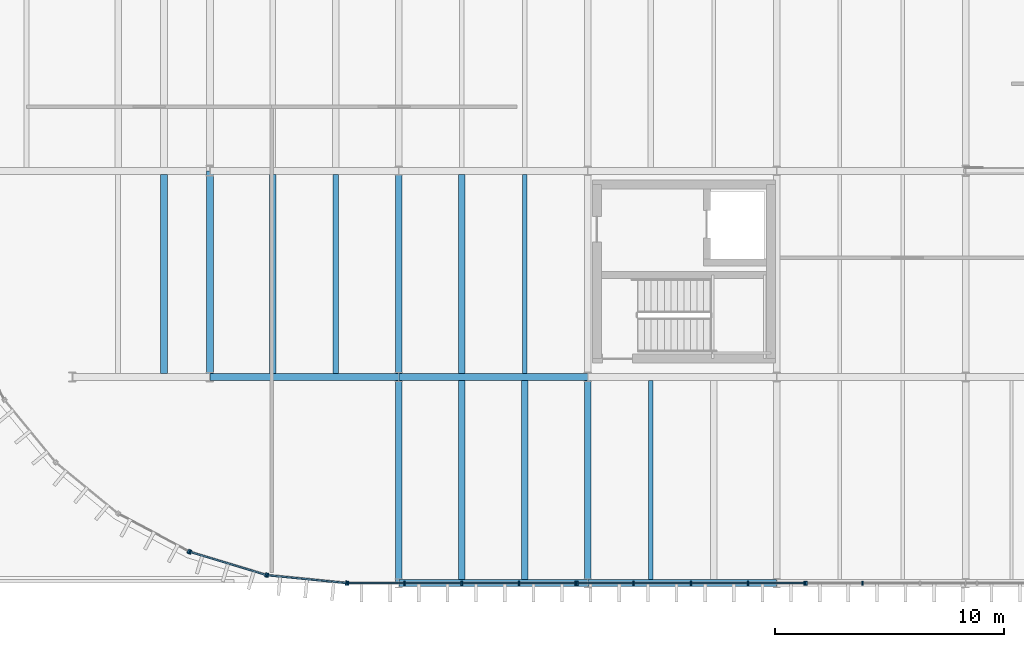
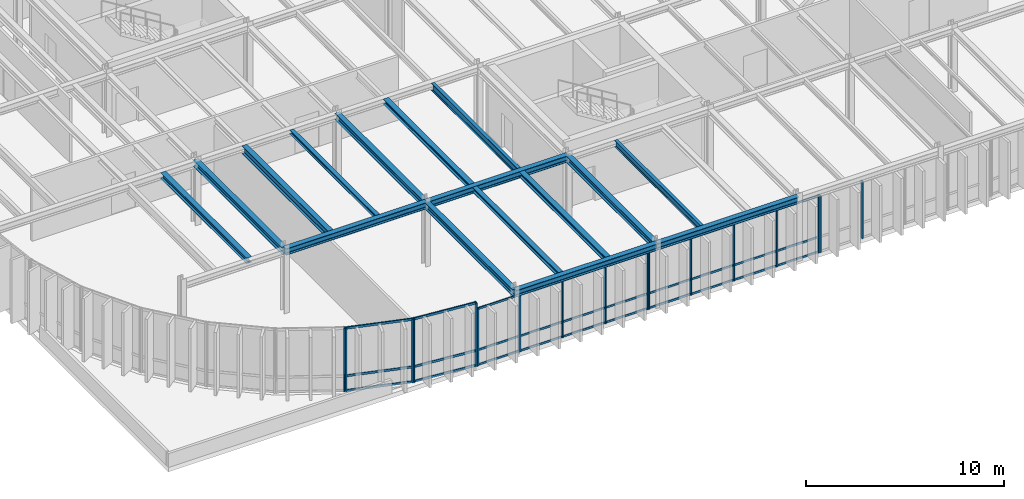
# One storey, part 14 of 69: 29 members, 16 beams, 6 elements without a shape of their own.
"""IFC4 building model written with IfcOpenShell, lengths in metres."""

from ifc_helpers import new_model, si_unit, direction, frame, origin, origin_2d, place, context, subcontext, project, spatial, rectangle, i_section, extrude, material, layer, layer_set, material_profile, profile_set, type_object, element, aggregate, save


model = new_model("IFC4")

# Units and contexts
model_context = context("Model", 3, precision=1e-05, world=origin(), true_north=direction((0.0, 1.0)))
body_context = subcontext(model_context, "Body", "Model", "MODEL_VIEW")
ifc_project = project(units=[si_unit("LENGTHUNIT", "METRE"), si_unit("AREAUNIT", "SQUARE_METRE"), si_unit("VOLUMEUNIT", "CUBIC_METRE"), si_unit("PLANEANGLEUNIT", "RADIAN"), si_unit("MASSUNIT", "GRAM", prefix="KILO")], contexts=[model_context])

# Site, building, storey
site_placement = place(None, origin())
site = spatial("IfcSite", under=ifc_project, at=site_placement, CompositionType="ELEMENT")
building_placement = place(site_placement, origin())
building = spatial("IfcBuilding", under=site, at=building_placement, Name="Montealbar Specialist Clinic", CompositionType="ELEMENT")
storey_placement = place(building_placement, frame((0.0, 0.0, 9.60009765625)))
storey = spatial("IfcBuildingStorey", under=building, at=storey_placement, Name="L02", CompositionType="ELEMENT", Elevation=9.60009765625)

# Beams
ifc_material_1 = material(Name="Steel S355", Category="steel")
ifc_material_profile_1 = material_profile(ifc_material_1, i_section(OverallWidth=0.300048828125, OverallDepth=0.39990234375, WebThickness=0.013427734375, FlangeThickness=0.02392578125, FilletRadius=0.027099609375, at=origin_2d()), Name="HEB 400", Category="steel")
ifc_profile_set_1 = profile_set([ifc_material_profile_1], Name="Steel S355")
beam_type_1 = type_object("IfcBeamType", Name="BM-GIRD-HEB400", PredefinedType="BEAM", material=ifc_profile_set_1)
for number, where, z_axis, x_axis, name in (
    (1, (66.0, 9.0, 3.72998046875), (1.0, 0.0, 0.0), (0.0, 1.0, 0.0), "Beam GX-L02-660-742-90"),
    (2, (74.25, 9.0, 3.72998046875), (1.0, 0.0, 0.0), (0.0, 1.0, 0.0), "Beam GX-L02-742-825-90"),
):
    element("IfcBeam", number, at=place(storey_placement, frame(where, z_axis=z_axis, x_axis=x_axis)), inside=storey, type_object=beam_type_1, Name=name, PredefinedType="BEAM", context=body_context, shape_type="SweptSolid", body=[
        extrude(i_section(OverallWidth=0.300048828125, OverallDepth=0.39990234375, WebThickness=0.013427734375, FlangeThickness=0.02392578125, FilletRadius=0.027099609375, at=origin_2d()), origin(), (0.0, 0.0, 1.0), 8.25),
    ])
for number, where, z_axis, x_axis, name in (
    (3, (66.0, 9.0, 3.72998046875), (0.0, 1.0, 0.0), (-1.0, 0.0, 0.0), "Beam GY-L02-660-90-180"),
    (4, (74.25, 0.0, 3.72998046875), (0.0, 1.0, 0.0), (-1.0, 0.0, 0.0), "Beam GY-L02-742-0-90"),
    (5, (74.25, 9.0, 3.72998046875), (0.0, 1.0, 0.0), (-1.0, 0.0, 0.0), "Beam GY-L02-742-90-180"),
    (6, (82.5, 0.0, 3.72998046875), (0.0, 1.0, 0.0), (-1.0, 0.0, 0.0), "Beam GY-L02-825-0-90"),
):
    element("IfcBeam", number, at=place(storey_placement, frame(where, z_axis=z_axis, x_axis=x_axis)), inside=storey, type_object=beam_type_1, Name=name, PredefinedType="BEAM", context=body_context, shape_type="SweptSolid", body=[
        extrude(i_section(OverallWidth=0.300048828125, OverallDepth=0.39990234375, WebThickness=0.013427734375, FlangeThickness=0.02392578125, FilletRadius=0.027099609375, at=origin_2d()), origin(), (0.0, 0.0, 1.0), 9.0),
    ])
ifc_material_profile_2 = material_profile(ifc_material_1, i_section(OverallWidth=0.300048828125, OverallDepth=0.39990234375, WebThickness=0.013427734375, FlangeThickness=0.02392578125, FilletRadius=0.027099609375, at=origin_2d()), Name="HEB 400", Category="steel")
ifc_profile_set_2 = profile_set([ifc_material_profile_2], Name="Steel S355")
beam_type_2 = type_object("IfcBeamType", Name="BM-GIRD-HEB400-EXT", PredefinedType="BEAM", material=ifc_profile_set_2)
for number, where, z_axis, x_axis, name in (
    (7, (74.25, 0.0, 3.72998046875), (1.0, 0.0, 0.0), (0.0, 1.0, 0.0), "Beam GX-L02-742-825-0"),
    (8, (82.5, 0.0, 3.72998046875), (1.0, 0.0, 0.0), (0.0, 1.0, 0.0), "Beam GX-L02-825-908-0"),
):
    element("IfcBeam", number, at=place(storey_placement, frame(where, z_axis=z_axis, x_axis=x_axis)), inside=storey, type_object=beam_type_2, Name=name, PredefinedType="BEAM", context=body_context, shape_type="SweptSolid", body=[
        extrude(i_section(OverallWidth=0.300048828125, OverallDepth=0.39990234375, WebThickness=0.013427734375, FlangeThickness=0.02392578125, FilletRadius=0.027099609375, at=origin_2d()), origin(), (0.0, 0.0, 1.0), 8.25),
    ])
ifc_material_profile_3 = material_profile(ifc_material_1, i_section(OverallWidth=0.300048828125, OverallDepth=0.35009765625, WebThickness=0.010009765625, FlangeThickness=0.017578125, FilletRadius=0.027099609375, at=origin_2d()), Name="HEA 360", Category="steel")
ifc_profile_set_3 = profile_set([ifc_material_profile_3], Name="Steel S355")
beam_type_3 = type_object("IfcBeamType", Name="BM-JST-HEA360", PredefinedType="JOIST", material=ifc_profile_set_3)
beam_1_placement = place(storey_placement, frame((64.0, 9.14990234375, 3.7548828125), z_axis=(0.0, 1.0, 0.0), x_axis=(-1.0, 0.0, 0.0)))
element("IfcBeam", 9, at=beam_1_placement, inside=storey, type_object=beam_type_3, Name="Beam JST-L02-640-92-178", PredefinedType="JOIST", context=body_context, shape_type="SweptSolid", body=[
    extrude(i_section(OverallWidth=0.300048828125, OverallDepth=0.35009765625, WebThickness=0.010009765625, FlangeThickness=0.017578125, FilletRadius=0.027099609375, at=origin_2d()), origin(), (0.0, 0.0, 1.0), 8.7001953125),
])
ifc_material_profile_4 = material_profile(ifc_material_1, i_section(OverallWidth=0.300048828125, OverallDepth=0.489990234375, WebThickness=0.011962890625, FlangeThickness=0.02294921875, FilletRadius=0.027099609375, at=origin_2d()), Name="HEA 500", Category="steel")
ifc_profile_set_4 = profile_set([ifc_material_profile_4], Name="Steel S355")
beam_type_4 = type_object("IfcBeamType", Name="BM-JST-HEA500", PredefinedType="JOIST", material=ifc_profile_set_4)
beam_2_placement = place(storey_placement, frame((68.75, 9.14990234375, 3.684814453125), z_axis=(0.0, 1.0, 0.0), x_axis=(-1.0, 0.0, 0.0)))
element("IfcBeam", 10, at=beam_2_placement, inside=storey, type_object=beam_type_4, Name="Beam JST-L02-688-92-178", PredefinedType="JOIST", context=body_context, shape_type="SweptSolid", body=[
    extrude(i_section(OverallWidth=0.300048828125, OverallDepth=0.489990234375, WebThickness=0.011962890625, FlangeThickness=0.02294921875, FilletRadius=0.027099609375, at=origin_2d()), origin(), (0.0, 0.0, 1.0), 8.7001953125),
])
ifc_material_profile_5 = material_profile(ifc_material_1, i_section(OverallWidth=0.239990234375, OverallDepth=0.239990234375, WebThickness=0.010009765625, FlangeThickness=0.01708984375, FilletRadius=0.02099609375, at=origin_2d()), Name="HEB 240", Category="steel")
ifc_profile_set_5 = profile_set([ifc_material_profile_5], Name="Steel S355")
beam_type_5 = type_object("IfcBeamType", Name="BM-JST-HEB240", PredefinedType="JOIST", material=ifc_profile_set_5)
beam_3_placement = place(storey_placement, frame((71.5, 9.14990234375, 3.809814453125), z_axis=(0.0, 1.0, 0.0), x_axis=(-1.0, 0.0, 0.0)))
element("IfcBeam", 11, at=beam_3_placement, inside=storey, type_object=beam_type_5, Name="Beam JST-L02-715-92-178", PredefinedType="JOIST", context=body_context, shape_type="SweptSolid", body=[
    extrude(i_section(OverallWidth=0.239990234375, OverallDepth=0.239990234375, WebThickness=0.010009765625, FlangeThickness=0.01708984375, FilletRadius=0.02099609375, at=origin_2d()), origin(), (0.0, 0.0, 1.0), 8.7001953125),
])
ifc_material_profile_6 = material_profile(ifc_material_1, i_section(OverallWidth=0.280029296875, OverallDepth=0.280029296875, WebThickness=0.010498046875, FlangeThickness=0.01806640625, FilletRadius=0.02392578125, at=origin_2d()), Name="HEB 280", Category="steel")
ifc_profile_set_6 = profile_set([ifc_material_profile_6], Name="Steel S355")
beam_type_6 = type_object("IfcBeamType", Name="BM-JST-HEB280", PredefinedType="JOIST", material=ifc_profile_set_6)
beam_4_placement = place(storey_placement, frame((77.0, 0.14990234375, 3.789794921875), z_axis=(0.0, 1.0, 0.0), x_axis=(-1.0, 0.0, 0.0)))
element("IfcBeam", 12, at=beam_4_placement, inside=storey, type_object=beam_type_6, Name="Beam JST-L02-770-2-88", PredefinedType="JOIST", context=body_context, shape_type="SweptSolid", body=[
    extrude(i_section(OverallWidth=0.280029296875, OverallDepth=0.280029296875, WebThickness=0.010498046875, FlangeThickness=0.01806640625, FilletRadius=0.02392578125, at=origin_2d()), origin(), (0.0, 0.0, 1.0), 8.7001953125),
])
ifc_material_profile_7 = material_profile(ifc_material_1, i_section(OverallWidth=0.300048828125, OverallDepth=0.320068359375, WebThickness=0.011474609375, FlangeThickness=0.0205078125, FilletRadius=0.027099609375, at=origin_2d()), Name="HEB 320", Category="steel")
ifc_profile_set_7 = profile_set([ifc_material_profile_7], Name="Steel S355")
beam_type_7 = type_object("IfcBeamType", Name="BM-JST-HEB320", PredefinedType="JOIST", material=ifc_profile_set_7)
for number, where, z_axis, x_axis, name in (
    (13, (79.75, 0.14990234375, 3.77001953125), (0.0, 1.0, 0.0), (-1.0, 0.0, 0.0), "Beam JST-L02-798-2-88"),
    (14, (77.0, 9.14990234375, 3.77001953125), (0.0, 1.0, 0.0), (-1.0, 0.0, 0.0), "Beam JST-L02-770-92-178"),
):
    element("IfcBeam", number, at=place(storey_placement, frame(where, z_axis=z_axis, x_axis=x_axis)), inside=storey, type_object=beam_type_7, Name=name, PredefinedType="JOIST", context=body_context, shape_type="SweptSolid", body=[
        extrude(i_section(OverallWidth=0.300048828125, OverallDepth=0.320068359375, WebThickness=0.011474609375, FlangeThickness=0.0205078125, FilletRadius=0.027099609375, at=origin_2d()), origin(), (0.0, 0.0, 1.0), 8.7001953125),
    ])
ifc_material_profile_8 = material_profile(ifc_material_1, i_section(OverallWidth=0.179931640625, OverallDepth=0.39990234375, WebThickness=0.008544921875, FlangeThickness=0.013427734375, FilletRadius=0.02099609375, at=origin_2d()), Name="IPE 400", Category="steel")
ifc_profile_set_8 = profile_set([ifc_material_profile_8], Name="Steel S355")
beam_type_8 = type_object("IfcBeamType", Name="BM-SEC-IPE400", PredefinedType="BEAM", material=ifc_profile_set_8)
beam_5_placement = place(storey_placement, frame((85.25, 0.14990234375, 3.72998046875), z_axis=(0.0, 1.0, 0.0), x_axis=(-1.0, 0.0, 0.0)))
element("IfcBeam", 15, at=beam_5_placement, inside=storey, type_object=beam_type_8, Name="Beam JST-L02-852-2-88", PredefinedType="BEAM", context=body_context, shape_type="SweptSolid", body=[
    extrude(i_section(OverallWidth=0.179931640625, OverallDepth=0.39990234375, WebThickness=0.008544921875, FlangeThickness=0.013427734375, FilletRadius=0.02099609375, at=origin_2d()), origin(), (0.0, 0.0, 1.0), 8.7001953125),
])
ifc_material_profile_9 = material_profile(ifc_material_1, i_section(OverallWidth=0.18994140625, OverallDepth=0.449951171875, WebThickness=0.009521484375, FlangeThickness=0.0146484375, FilletRadius=0.02099609375, at=origin_2d()), Name="IPE 450", Category="steel")
ifc_profile_set_9 = profile_set([ifc_material_profile_9], Name="Steel S355")
beam_type_9 = type_object("IfcBeamType", Name="BM-SEC-IPE450", PredefinedType="BEAM", material=ifc_profile_set_9)
beam_6_placement = place(storey_placement, frame((79.75, 9.14990234375, 3.704833984375), z_axis=(0.0, 1.0, 0.0), x_axis=(-1.0, 0.0, 0.0)))
element("IfcBeam", 16, at=beam_6_placement, inside=storey, type_object=beam_type_9, Name="Beam JST-L02-798-92-178", PredefinedType="BEAM", context=body_context, shape_type="SweptSolid", body=[
    extrude(i_section(OverallWidth=0.18994140625, OverallDepth=0.449951171875, WebThickness=0.009521484375, FlangeThickness=0.0146484375, FilletRadius=0.02099609375, at=origin_2d()), origin(), (0.0, 0.0, 1.0), 8.7001953125),
])

# Curtain wall, members
ifc_material_2 = material(Name="Low-E double glazing", Category="glass")
ifc_layer_1 = layer(ifc_material_2, 0.199951171875, Name="Low-E double glazing", Category="glass")
ifc_layer_set_1 = layer_set([ifc_layer_1], Name="Low-E double glazing")
curtain_wall_type_1 = type_object("IfcCurtainWallType", Name="CW-TYPE-16", PredefinedType="NOTDEFINED", material=ifc_layer_set_1)
curtain_wall_1_placement = place(storey_placement, origin())
curtain_wall_1 = element("IfcCurtainWall", 17, at=curtain_wall_1_placement, inside=storey, type_object=curtain_wall_type_1, Name="Unitised Curtain Wall CW-L02-1020-0-920-0-96", PredefinedType="NOTDEFINED")
ifc_material_3 = material(Name="Anodised aluminium EN AW-6063", Category="aluminium")
ifc_material_profile_10 = material_profile(ifc_material_3, rectangle(XDim=0.070068359375, YDim=0.179931640625, at=origin_2d()), Name="ALU 70x180", Category="aluminium")
ifc_profile_set_10 = profile_set([ifc_material_profile_10], Name="Anodised aluminium EN AW-6063")
member_type_1 = type_object("IfcMemberType", Name="CW-MUL-200", PredefinedType="MULLION", material=ifc_profile_set_10)
member_1_placement = place(storey_placement, frame((94.5, 0.0, 0.0), z_axis=(0.0, 0.0, 1.0), x_axis=(-1.0, 0.0, 0.0)))
member_1 = element("IfcMember", 18, at=member_1_placement, type_object=member_type_1, Name="Curtain Wall Mullion CW-L02-1020-0-920-0-96-03", PredefinedType="MULLION", context=body_context, shape_type="SweptSolid", body=[
    extrude(rectangle(XDim=0.070068359375, YDim=0.179931640625, at=origin_2d()), origin(), (0.0, 0.0, 1.0), 3.52978515625),
])
member_2_placement = place(storey_placement, frame((92.0400390625, 0.0, 0.0), z_axis=(0.0, 0.0, 1.0), x_axis=(-1.0, 0.0, 0.0)))
member_2 = element("IfcMember", 19, at=member_2_placement, type_object=member_type_1, Name="Curtain Wall Mullion CW-L02-1020-0-920-0-96-04", PredefinedType="MULLION", context=body_context, shape_type="SweptSolid", body=[
    extrude(rectangle(XDim=0.070068359375, YDim=0.179931640625, at=origin_2d()), origin(), (0.0, 0.0, 1.0), 3.52978515625),
])
aggregate(curtain_wall_1, [member_1, member_2])

curtain_wall_2_placement = place(storey_placement, origin())
curtain_wall_2 = element("IfcCurtainWall", 20, at=curtain_wall_2_placement, inside=storey, type_object=curtain_wall_type_1, Name="Unitised Curtain Wall CW-L02-920-0-820-0-96", PredefinedType="NOTDEFINED")
member_3_placement = place(storey_placement, frame((91.9599609375, 0.0, 0.0), z_axis=(0.0, 0.0, 1.0), x_axis=(-1.0, 0.0, 0.0)))
member_3 = element("IfcMember", 21, at=member_3_placement, type_object=member_type_1, Name="Curtain Wall Mullion CW-L02-920-0-820-0-96-00", PredefinedType="MULLION", context=body_context, shape_type="SweptSolid", body=[
    extrude(rectangle(XDim=0.070068359375, YDim=0.179931640625, at=origin_2d()), origin(), (0.0, 0.0, 1.0), 3.52978515625),
])
member_4_placement = place(storey_placement, frame((89.5, 0.0, 0.0), z_axis=(0.0, 0.0, 1.0), x_axis=(-1.0, 0.0, 0.0)))
member_4 = element("IfcMember", 22, at=member_4_placement, type_object=member_type_1, Name="Curtain Wall Mullion CW-L02-920-0-820-0-96-01", PredefinedType="MULLION", context=body_context, shape_type="SweptSolid", body=[
    extrude(rectangle(XDim=0.070068359375, YDim=0.179931640625, at=origin_2d()), origin(), (0.0, 0.0, 1.0), 3.52978515625),
])
member_5_placement = place(storey_placement, frame((87.0, 0.0, 0.0), z_axis=(0.0, 0.0, 1.0), x_axis=(-1.0, 0.0, 0.0)))
member_5 = element("IfcMember", 23, at=member_5_placement, type_object=member_type_1, Name="Curtain Wall Mullion CW-L02-920-0-820-0-96-02", PredefinedType="MULLION", context=body_context, shape_type="SweptSolid", body=[
    extrude(rectangle(XDim=0.070068359375, YDim=0.179931640625, at=origin_2d()), origin(), (0.0, 0.0, 1.0), 3.52978515625),
])
member_6_placement = place(storey_placement, frame((84.5, 0.0, 0.0), z_axis=(0.0, 0.0, 1.0), x_axis=(-1.0, 0.0, 0.0)))
member_6 = element("IfcMember", 24, at=member_6_placement, type_object=member_type_1, Name="Curtain Wall Mullion CW-L02-920-0-820-0-96-03", PredefinedType="MULLION", context=body_context, shape_type="SweptSolid", body=[
    extrude(rectangle(XDim=0.070068359375, YDim=0.179931640625, at=origin_2d()), origin(), (0.0, 0.0, 1.0), 3.52978515625),
])
member_7_placement = place(storey_placement, frame((82.0400390625, 0.0, 0.0), z_axis=(0.0, 0.0, 1.0), x_axis=(-1.0, 0.0, 0.0)))
member_7 = element("IfcMember", 25, at=member_7_placement, type_object=member_type_1, Name="Curtain Wall Mullion CW-L02-920-0-820-0-96-04", PredefinedType="MULLION", context=body_context, shape_type="SweptSolid", body=[
    extrude(rectangle(XDim=0.070068359375, YDim=0.179931640625, at=origin_2d()), origin(), (0.0, 0.0, 1.0), 3.52978515625),
])

curtain_wall_3_placement = place(storey_placement, origin())
curtain_wall_3 = element("IfcCurtainWall", 26, at=curtain_wall_3_placement, inside=storey, type_object=curtain_wall_type_1, Name="Unitised Curtain Wall CW-L02-820-0-720-0-96", PredefinedType="NOTDEFINED")
member_8_placement = place(storey_placement, frame((81.9599609375, 0.0, 0.0), z_axis=(0.0, 0.0, 1.0), x_axis=(-1.0, 0.0, 0.0)))
member_8 = element("IfcMember", 27, at=member_8_placement, type_object=member_type_1, Name="Curtain Wall Mullion CW-L02-820-0-720-0-96-00", PredefinedType="MULLION", context=body_context, shape_type="SweptSolid", body=[
    extrude(rectangle(XDim=0.070068359375, YDim=0.179931640625, at=origin_2d()), origin(), (0.0, 0.0, 1.0), 3.52978515625),
])
member_9_placement = place(storey_placement, frame((79.5, 0.0, 0.0), z_axis=(0.0, 0.0, 1.0), x_axis=(-1.0, 0.0, 0.0)))
member_9 = element("IfcMember", 28, at=member_9_placement, type_object=member_type_1, Name="Curtain Wall Mullion CW-L02-820-0-720-0-96-01", PredefinedType="MULLION", context=body_context, shape_type="SweptSolid", body=[
    extrude(rectangle(XDim=0.070068359375, YDim=0.179931640625, at=origin_2d()), origin(), (0.0, 0.0, 1.0), 3.52978515625),
])
member_10_placement = place(storey_placement, frame((77.0, 0.0, 0.0), z_axis=(0.0, 0.0, 1.0), x_axis=(-1.0, 0.0, 0.0)))
member_10 = element("IfcMember", 29, at=member_10_placement, type_object=member_type_1, Name="Curtain Wall Mullion CW-L02-820-0-720-0-96-02", PredefinedType="MULLION", context=body_context, shape_type="SweptSolid", body=[
    extrude(rectangle(XDim=0.070068359375, YDim=0.179931640625, at=origin_2d()), origin(), (0.0, 0.0, 1.0), 3.52978515625),
])
member_11_placement = place(storey_placement, frame((74.5, 0.0, 0.0), z_axis=(0.0, 0.0, 1.0), x_axis=(-1.0, 0.0, 0.0)))
member_11 = element("IfcMember", 30, at=member_11_placement, type_object=member_type_1, Name="Curtain Wall Mullion CW-L02-820-0-720-0-96-03", PredefinedType="MULLION", context=body_context, shape_type="SweptSolid", body=[
    extrude(rectangle(XDim=0.070068359375, YDim=0.179931640625, at=origin_2d()), origin(), (0.0, 0.0, 1.0), 3.52978515625),
])
member_12_placement = place(storey_placement, frame((72.0400390625, 0.0, 0.0), z_axis=(0.0, 0.0, 1.0), x_axis=(-1.0, 0.0, 0.0)))
member_12 = element("IfcMember", 31, at=member_12_placement, type_object=member_type_1, Name="Curtain Wall Mullion CW-L02-820-0-720-0-96-04", PredefinedType="MULLION", context=body_context, shape_type="SweptSolid", body=[
    extrude(rectangle(XDim=0.070068359375, YDim=0.179931640625, at=origin_2d()), origin(), (0.0, 0.0, 1.0), 3.52978515625),
])

ifc_layer_2 = layer(ifc_material_2, 0.199951171875, Name="Low-E double glazing", Category="glass")
ifc_layer_set_2 = layer_set([ifc_layer_2], Name="Low-E double glazing")
curtain_wall_type_2 = type_object("IfcCurtainWallType", Name="CW-TYPE-12", PredefinedType="NOTDEFINED", material=ifc_layer_set_2)
curtain_wall_4_placement = place(storey_placement, origin())
curtain_wall_4 = element("IfcCurtainWall", 32, at=curtain_wall_4_placement, inside=storey, type_object=curtain_wall_type_2, Name="Unitised Curtain Wall CW-L02-720-0-685-3-96", PredefinedType="NOTDEFINED")
member_13_placement = place(storey_placement, frame((71.9599609375, 0.00390625, 0.0), z_axis=(0.0, 0.0, 1.0), x_axis=(-0.995182012183, 0.098044697094, 0.0)))
member_13 = element("IfcMember", 33, at=member_13_placement, type_object=member_type_1, Name="Curtain Wall Mullion CW-L02-720-0-685-3-96-00", PredefinedType="MULLION", context=body_context, shape_type="SweptSolid", body=[
    extrude(rectangle(XDim=0.070068359375, YDim=0.179931640625, at=origin_2d()), origin(), (0.0, 0.0, 1.0), 3.929931640625),
])
member_14_placement = place(storey_placement, frame((68.528076171875, 0.342041015625, 0.0), z_axis=(0.0, 0.0, 1.0), x_axis=(-0.995182012183, 0.098044697094, 0.0)))
member_14 = element("IfcMember", 34, at=member_14_placement, type_object=member_type_1, Name="Curtain Wall Mullion CW-L02-720-0-685-3-96-01", PredefinedType="MULLION", context=body_context, shape_type="SweptSolid", body=[
    extrude(rectangle(XDim=0.070068359375, YDim=0.179931640625, at=origin_2d()), origin(), (0.0, 0.0, 1.0), 3.929931640625),
])

curtain_wall_5_placement = place(storey_placement, origin())
curtain_wall_5 = element("IfcCurtainWall", 35, at=curtain_wall_5_placement, inside=storey, type_object=curtain_wall_type_2, Name="Unitised Curtain Wall CW-L02-685-3-651-14-96", PredefinedType="NOTDEFINED")
member_15_placement = place(storey_placement, frame((68.449951171875, 0.35791015625, 0.0), z_axis=(0.0, 0.0, 1.0), x_axis=(-0.956948083701, 0.290259134399, 0.0)))
member_15 = element("IfcMember", 36, at=member_15_placement, type_object=member_type_1, Name="Curtain Wall Mullion CW-L02-685-3-651-14-96-00", PredefinedType="MULLION", context=body_context, shape_type="SweptSolid", body=[
    extrude(rectangle(XDim=0.070068359375, YDim=0.179931640625, at=origin_2d()), origin(), (0.0, 0.0, 1.0), 3.929931640625),
])
member_16_placement = place(storey_placement, frame((65.14990234375, 1.35791015625, 0.0), z_axis=(0.0, 0.0, 1.0), x_axis=(-0.956948083701, 0.290259134399, 0.0)))
member_16 = element("IfcMember", 37, at=member_16_placement, type_object=member_type_1, Name="Curtain Wall Mullion CW-L02-685-3-651-14-96-01", PredefinedType="MULLION", context=body_context, shape_type="SweptSolid", body=[
    extrude(rectangle(XDim=0.070068359375, YDim=0.179931640625, at=origin_2d()), origin(), (0.0, 0.0, 1.0), 3.929931640625),
])

# Curtain wall, member
curtain_wall_6_placement = place(storey_placement, origin())
curtain_wall_6 = element("IfcCurtainWall", 38, at=curtain_wall_6_placement, inside=storey, type_object=curtain_wall_type_2, Name="Unitised Curtain Wall CW-L02-651-14-620-30-96", PredefinedType="NOTDEFINED")
member_17_placement = place(storey_placement, frame((65.076904296875, 1.388916015625, 0.0), z_axis=(0.0, 0.0, 1.0), x_axis=(-0.881850411644, 0.471529268958, 0.0)))
member_17 = element("IfcMember", 39, at=member_17_placement, type_object=member_type_1, Name="Curtain Wall Mullion CW-L02-651-14-620-30-96-00", PredefinedType="MULLION", context=body_context, shape_type="SweptSolid", body=[
    extrude(rectangle(XDim=0.070068359375, YDim=0.179931640625, at=origin_2d()), origin(), (0.0, 0.0, 1.0), 3.929931640625),
])
aggregate(curtain_wall_6, [member_17])

# Member
ifc_material_4 = material(Name="Powder-coated aluminium", Category="aluminium")
ifc_material_profile_11 = material_profile(ifc_material_4, rectangle(XDim=0.06005859375, YDim=0.1201171875, at=origin_2d()), Name="ALU 60x120", Category="aluminium")
ifc_profile_set_11 = profile_set([ifc_material_profile_11], Name="Powder-coated aluminium")
member_type_2 = type_object("IfcMemberType", Name="CW-TRN-120", PredefinedType="USERDEFINED", material=ifc_profile_set_11)
member_18_placement = place(storey_placement, frame((91.949951171875, 0.0, 0.039794921875), z_axis=(-1.0, 0.0, 0.0), x_axis=(0.0, -1.0, 0.0)))
member_18 = element("IfcMember", 40, at=member_18_placement, type_object=member_type_2, Name="Curtain Wall Transom CW-L02-920-0-820-0-96-00", ObjectType="TRANSOM", PredefinedType="USERDEFINED", context=body_context, shape_type="SweptSolid", body=[
    extrude(rectangle(XDim=0.06005859375, YDim=0.1201171875, at=origin_2d()), origin(), (0.0, 0.0, 1.0), 9.89990234375),
])

member_19_placement = place(storey_placement, frame((91.949951171875, 0.0, 0.949951171875), z_axis=(-1.0, 0.0, 0.0), x_axis=(0.0, -1.0, 0.0)))
member_19 = element("IfcMember", 41, at=member_19_placement, type_object=member_type_2, Name="Curtain Wall Transom CW-L02-920-0-820-0-96-01", ObjectType="TRANSOM", PredefinedType="USERDEFINED", context=body_context, shape_type="SweptSolid", body=[
    extrude(rectangle(XDim=0.06005859375, YDim=0.1201171875, at=origin_2d()), origin(), (0.0, 0.0, 1.0), 9.89990234375),
])

member_20_placement = place(storey_placement, frame((91.949951171875, 0.0, 3.489990234375), z_axis=(-1.0, 0.0, 0.0), x_axis=(0.0, -1.0, 0.0)))
member_20 = element("IfcMember", 42, at=member_20_placement, type_object=member_type_2, Name="Curtain Wall Transom CW-L02-920-0-820-0-96-02", ObjectType="TRANSOM", PredefinedType="USERDEFINED", context=body_context, shape_type="SweptSolid", body=[
    extrude(rectangle(XDim=0.06005859375, YDim=0.1201171875, at=origin_2d()), origin(), (0.0, 0.0, 1.0), 9.89990234375),
])

aggregate(curtain_wall_2, [member_3, member_4, member_5, member_6, member_7, member_18, member_19, member_20])

member_21_placement = place(storey_placement, frame((81.949951171875, 0.0, 0.039794921875), z_axis=(-1.0, 0.0, 0.0), x_axis=(0.0, -1.0, 0.0)))
member_21 = element("IfcMember", 43, at=member_21_placement, type_object=member_type_2, Name="Curtain Wall Transom CW-L02-820-0-720-0-96-00", ObjectType="TRANSOM", PredefinedType="USERDEFINED", context=body_context, shape_type="SweptSolid", body=[
    extrude(rectangle(XDim=0.06005859375, YDim=0.1201171875, at=origin_2d()), origin(), (0.0, 0.0, 1.0), 9.89990234375),
])

member_22_placement = place(storey_placement, frame((81.949951171875, 0.0, 0.949951171875), z_axis=(-1.0, 0.0, 0.0), x_axis=(0.0, -1.0, 0.0)))
member_22 = element("IfcMember", 44, at=member_22_placement, type_object=member_type_2, Name="Curtain Wall Transom CW-L02-820-0-720-0-96-01", ObjectType="TRANSOM", PredefinedType="USERDEFINED", context=body_context, shape_type="SweptSolid", body=[
    extrude(rectangle(XDim=0.06005859375, YDim=0.1201171875, at=origin_2d()), origin(), (0.0, 0.0, 1.0), 9.89990234375),
])

member_23_placement = place(storey_placement, frame((81.949951171875, 0.0, 3.489990234375), z_axis=(-1.0, 0.0, 0.0), x_axis=(0.0, -1.0, 0.0)))
member_23 = element("IfcMember", 45, at=member_23_placement, type_object=member_type_2, Name="Curtain Wall Transom CW-L02-820-0-720-0-96-02", ObjectType="TRANSOM", PredefinedType="USERDEFINED", context=body_context, shape_type="SweptSolid", body=[
    extrude(rectangle(XDim=0.06005859375, YDim=0.1201171875, at=origin_2d()), origin(), (0.0, 0.0, 1.0), 9.89990234375),
])

aggregate(curtain_wall_3, [member_8, member_9, member_10, member_11, member_12, member_21, member_22, member_23])

ifc_material_profile_12 = material_profile(ifc_material_4, rectangle(XDim=0.070068359375, YDim=0.139892578125, at=origin_2d()), Name="ALU 70x140", Category="aluminium")
ifc_profile_set_12 = profile_set([ifc_material_profile_12], Name="Powder-coated aluminium")
member_type_3 = type_object("IfcMemberType", Name="CW-TRN-140", PredefinedType="USERDEFINED", material=ifc_profile_set_12)
member_24_placement = place(storey_placement, frame((71.949951171875, 0.0048828125, 0.039794921875), z_axis=(-0.995180678623, 0.098058232162, 0.0), x_axis=(-0.098058232162, -0.995180678623, 0.0)))
member_24 = element("IfcMember", 46, at=member_24_placement, type_object=member_type_3, Name="Curtain Wall Transom CW-L02-720-0-685-3-96-00", ObjectType="TRANSOM", PredefinedType="USERDEFINED", context=body_context, shape_type="SweptSolid", body=[
    extrude(rectangle(XDim=0.070068359375, YDim=0.139892578125, at=origin_2d()), origin(), (0.0, 0.0, 1.0), 3.428466796875),
])

member_25_placement = place(storey_placement, frame((71.949951171875, 0.0048828125, 0.949951171875), z_axis=(-0.995180678623, 0.098058232162, 0.0), x_axis=(-0.098058232162, -0.995180678623, 0.0)))
member_25 = element("IfcMember", 47, at=member_25_placement, type_object=member_type_3, Name="Curtain Wall Transom CW-L02-720-0-685-3-96-01", ObjectType="TRANSOM", PredefinedType="USERDEFINED", context=body_context, shape_type="SweptSolid", body=[
    extrude(rectangle(XDim=0.070068359375, YDim=0.139892578125, at=origin_2d()), origin(), (0.0, 0.0, 1.0), 3.428466796875),
])

member_26_placement = place(storey_placement, frame((71.949951171875, 0.0048828125, 3.889892578125), z_axis=(-0.995180678623, 0.098058232162, 0.0), x_axis=(-0.098058232162, -0.995180678623, 0.0)))
member_26 = element("IfcMember", 48, at=member_26_placement, type_object=member_type_3, Name="Curtain Wall Transom CW-L02-720-0-685-3-96-02", ObjectType="TRANSOM", PredefinedType="USERDEFINED", context=body_context, shape_type="SweptSolid", body=[
    extrude(rectangle(XDim=0.070068359375, YDim=0.139892578125, at=origin_2d()), origin(), (0.0, 0.0, 1.0), 3.428466796875),
])

aggregate(curtain_wall_4, [member_13, member_14, member_24, member_25, member_26])

member_27_placement = place(storey_placement, frame((68.43994140625, 0.361083984375, 0.039794921875), z_axis=(-0.957028598092, 0.289993555849, 0.0), x_axis=(-0.289993555849, -0.957028598092, 0.0)))
member_27 = element("IfcMember", 49, at=member_27_placement, type_object=member_type_3, Name="Curtain Wall Transom CW-L02-685-3-651-14-96-00", ObjectType="TRANSOM", PredefinedType="USERDEFINED", context=body_context, shape_type="SweptSolid", body=[
    extrude(rectangle(XDim=0.070068359375, YDim=0.139892578125, at=origin_2d()), origin(), (0.0, 0.0, 1.0), 3.42724609375),
])

member_28_placement = place(storey_placement, frame((68.43994140625, 0.361083984375, 0.949951171875), z_axis=(-0.957028598092, 0.289993555849, 0.0), x_axis=(-0.289993555849, -0.957028598092, 0.0)))
member_28 = element("IfcMember", 50, at=member_28_placement, type_object=member_type_3, Name="Curtain Wall Transom CW-L02-685-3-651-14-96-01", ObjectType="TRANSOM", PredefinedType="USERDEFINED", context=body_context, shape_type="SweptSolid", body=[
    extrude(rectangle(XDim=0.070068359375, YDim=0.139892578125, at=origin_2d()), origin(), (0.0, 0.0, 1.0), 3.42724609375),
])

member_29_placement = place(storey_placement, frame((68.43994140625, 0.361083984375, 3.889892578125), z_axis=(-0.957028598092, 0.289993555849, 0.0), x_axis=(-0.289993555849, -0.957028598092, 0.0)))
member_29 = element("IfcMember", 51, at=member_29_placement, type_object=member_type_3, Name="Curtain Wall Transom CW-L02-685-3-651-14-96-02", ObjectType="TRANSOM", PredefinedType="USERDEFINED", context=body_context, shape_type="SweptSolid", body=[
    extrude(rectangle(XDim=0.070068359375, YDim=0.139892578125, at=origin_2d()), origin(), (0.0, 0.0, 1.0), 3.42724609375),
])

aggregate(curtain_wall_5, [member_15, member_16, member_27, member_28, member_29])

save(model, "model.ifc")
